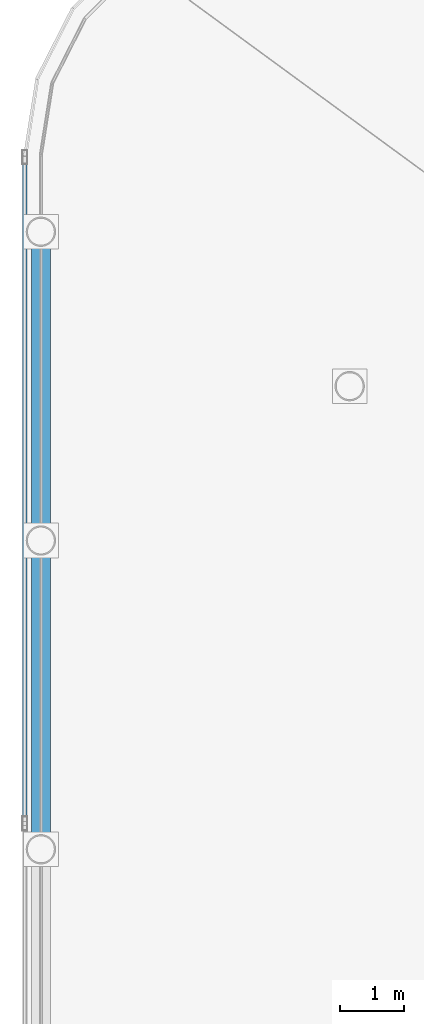
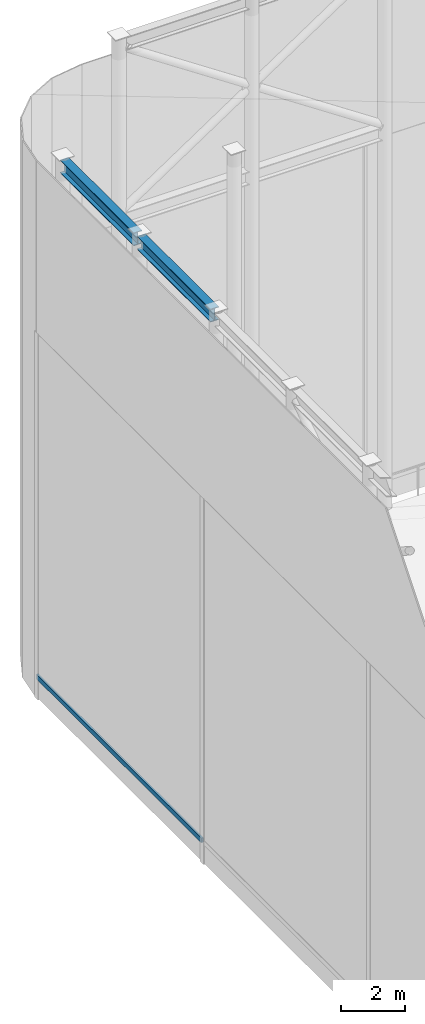
# One storey, part 13 of 42: 2 beams, 1 member, 1 element without a shape of its own.
"""IFC4 building model written with IfcOpenShell, lengths in metres."""

from ifc_helpers import new_model, si_unit, direction, frame, origin, origin_2d, place, context, subcontext, project, spatial, hollow_rectangle, i_section, extrude, material, layer, layer_set, material_profile, profile_set, type_object, element, aggregate, save


model = new_model("IFC4")

# Units and contexts
model_context = context("Model", 3, precision=1e-05, world=origin(), true_north=direction((0.0, 1.0)))
body_context = subcontext(model_context, "Body", "Model", "MODEL_VIEW")
ifc_project = project(units=[si_unit("LENGTHUNIT", "METRE"), si_unit("AREAUNIT", "SQUARE_METRE"), si_unit("VOLUMEUNIT", "CUBIC_METRE"), si_unit("PLANEANGLEUNIT", "RADIAN"), si_unit("MASSUNIT", "GRAM", prefix="KILO")], contexts=[model_context])

# Site, building, storey
site_placement = place(None, origin())
site = spatial("IfcSite", under=ifc_project, at=site_placement, CompositionType="ELEMENT")
building_placement = place(site_placement, origin())
building = spatial("IfcBuilding", under=site, at=building_placement, Name="Kallvorn Hotel Tower", CompositionType="ELEMENT")
storey_placement = place(building_placement, frame((0.0, 0.0, 306.0)))
storey = spatial("IfcBuildingStorey", under=building, at=storey_placement, Name="ROOF", CompositionType="ELEMENT", Elevation=306.0)

# Beams
ifc_material_1 = material(Name="Structural steel S355JR", Category="steel")
ifc_material_profile_1 = material_profile(ifc_material_1, i_section(OverallWidth=0.300048828125, OverallDepth=0.5, WebThickness=0.014404296875, FlangeThickness=0.028076171875, at=origin_2d()), Name="HE 500 B")
ifc_profile_set_1 = profile_set([ifc_material_profile_1], Name="Structural steel S355JR")
beam_type = type_object("IfcBeamType", Name="BM_HE500B", PredefinedType="SPANDREL", material=ifc_profile_set_1)
beam_1_placement = place(storey_placement, frame((-28.800048828125, 0.10009765625, 21.030029296875), z_axis=(0.0, 1.0, 0.0), x_axis=(-1.0, 0.0, 0.0)))
element("IfcBeam", 1, at=beam_1_placement, inside=storey, type_object=beam_type, Name="CROWN FRAME Top Ring Beam 23", PredefinedType="SPANDREL", context=body_context, shape_type="SweptSolid", body=[
    extrude(i_section(OverallWidth=0.300048828125, OverallDepth=0.5, WebThickness=0.014404296875, FlangeThickness=0.028076171875, at=origin_2d()), origin(), (0.0, 0.0, 1.0), 4.599853515625),
])
beam_2_placement = place(storey_placement, frame((-28.800048828125, 4.89990234375, 21.030029296875), z_axis=(0.0, 1.0, 0.0), x_axis=(-1.0, 0.0, 0.0)))
element("IfcBeam", 2, at=beam_2_placement, inside=storey, type_object=beam_type, Name="CROWN FRAME Top Ring Beam 24", PredefinedType="SPANDREL", context=body_context, shape_type="SweptSolid", body=[
    extrude(i_section(OverallWidth=0.300048828125, OverallDepth=0.5, WebThickness=0.014404296875, FlangeThickness=0.028076171875, at=origin_2d()), origin(), (0.0, 0.0, 1.0), 4.60009765625),
])

# Curtain wall, member
ifc_material_2 = material(Name="Thermally broken black-anodised aluminium AA 6063-T6", Category="aluminium")
ifc_layer = layer(ifc_material_2, 0.18994140625)
ifc_layer_set = layer_set([ifc_layer], Name="CW_SYS_7_CROWN_DRUM")
curtain_wall_type = type_object("IfcCurtainWallType", Name="CW_SYS_7_CROWN_DRUM", PredefinedType="USERDEFINED", material=ifc_layer_set)
curtain_wall_placement = place(storey_placement, origin())
curtain_wall = element("IfcCurtainWall", 3, at=curtain_wall_placement, inside=storey, type_object=curtain_wall_type, Name="ROOF Dark-Glass Curtain Wall CW-ROOF-W1", ObjectType="UNITISED CURTAIN WALL", PredefinedType="USERDEFINED")
ifc_material_3 = material(Name="Thermally broken black-anodised aluminium AA 6063-T6", Category="aluminium")
ifc_material_profile_2 = material_profile(ifc_material_3, hollow_rectangle(XDim=0.070068359375, YDim=0.179931640625, WallThickness=0.00390625, at=origin_2d()), Name="TRN 180x70")
ifc_profile_set_2 = profile_set([ifc_material_profile_2], Name="Thermally broken black-anodised aluminium AA 6063-T6")
member_type = type_object("IfcMemberType", Name="CW_TRANSOM_180x70", PredefinedType="USERDEFINED", material=ifc_profile_set_2)
member_placement = place(storey_placement, frame((-29.050048828125, 0.43994140625, 0.85009765625), z_axis=(0.0, 1.0, 0.0), x_axis=(-1.0, 0.0, 0.0)))
member = element("IfcMember", 4, at=member_placement, type_object=member_type, Name="CW-ROOF-W1 Transom 02M", ObjectType="TRANSOM", PredefinedType="USERDEFINED", context=body_context, shape_type="SweptSolid", body=[
    extrude(hollow_rectangle(XDim=0.070068359375, YDim=0.179931640625, WallThickness=0.00390625, at=origin_2d()), origin(), (0.0, 0.0, 1.0), 10.320068359375),
])
aggregate(curtain_wall, [member])

save(model, "model.ifc")
